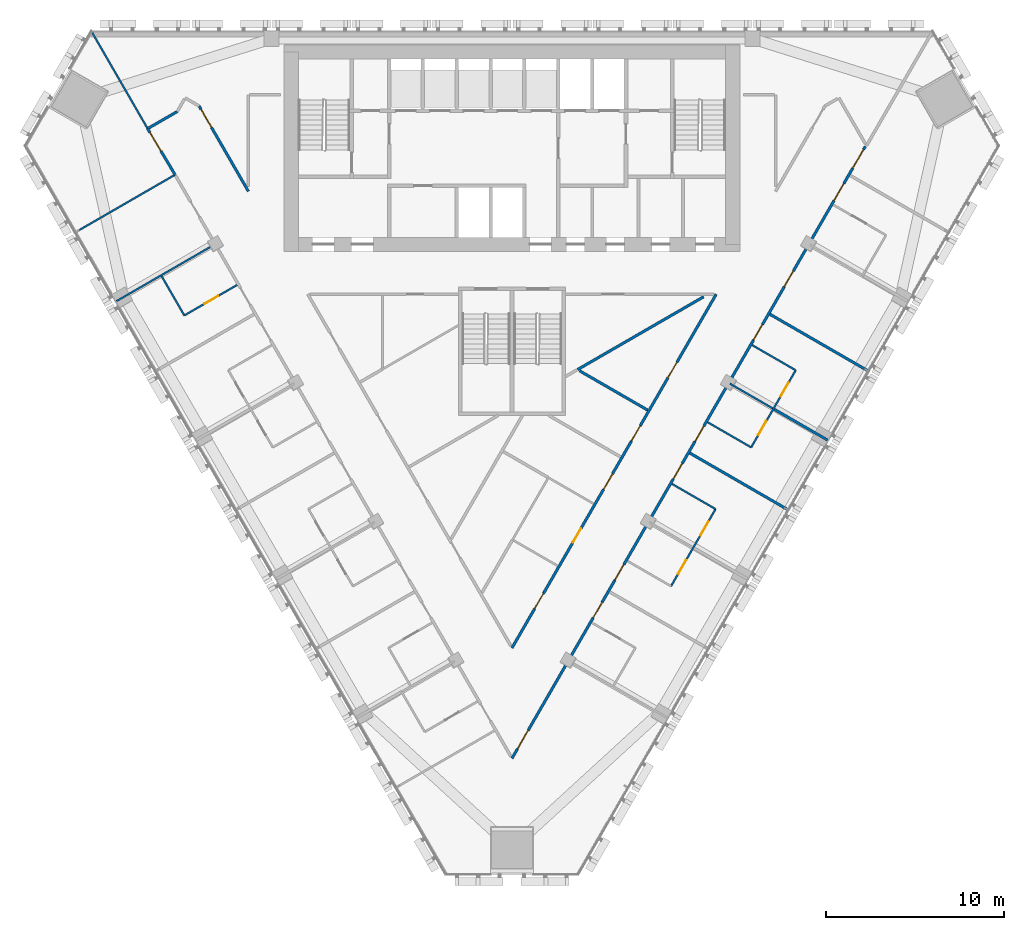
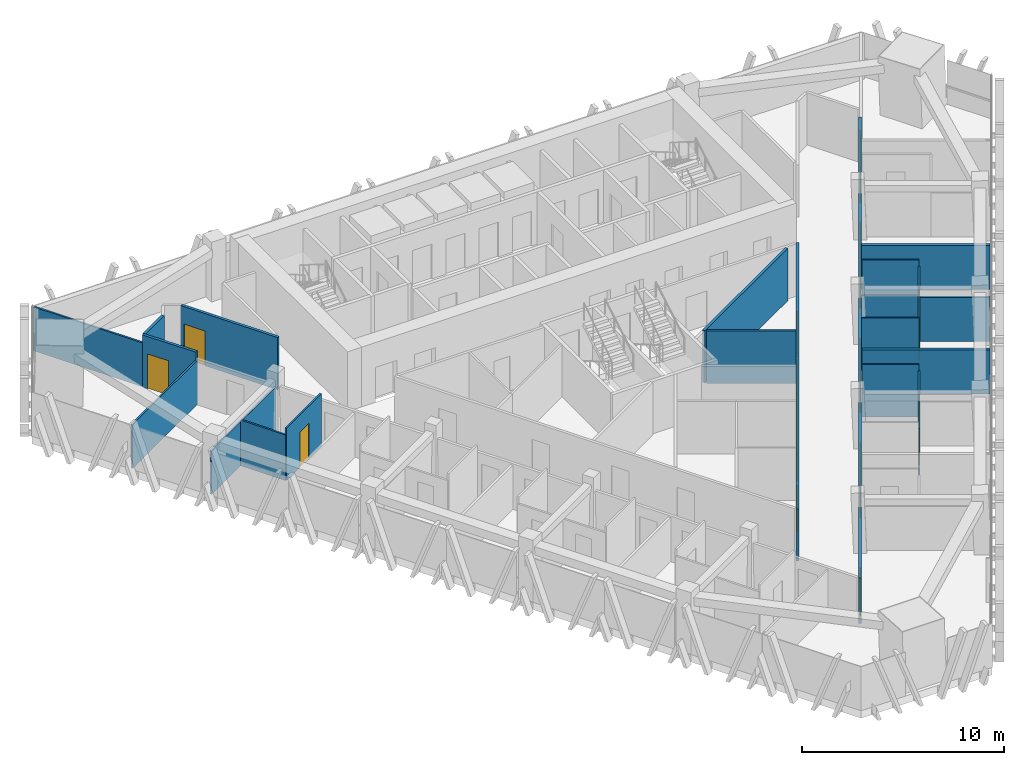
# One storey, part 10 of 16: 21 doors, 21 walls, 21 openings.
"""IFC4 building model written with IfcOpenShell, lengths in metres."""

from ifc_helpers import new_model, si_unit, direction, frame, frame_2d, origin, place, context, subcontext, project, spatial, rectangle, extrude, material, layer, layer_set, type_object, element, fill, save


model = new_model("IFC4")

# Units and contexts
model_context = context("Model", 3, precision=1e-05, world=origin(), true_north=direction((0.0, 1.0)))
body_context = subcontext(model_context, "Body", "Model", "MODEL_VIEW")
ifc_project = project(units=[si_unit("LENGTHUNIT", "METRE"), si_unit("AREAUNIT", "SQUARE_METRE"), si_unit("VOLUMEUNIT", "CUBIC_METRE"), si_unit("PLANEANGLEUNIT", "RADIAN"), si_unit("MASSUNIT", "GRAM", prefix="KILO")], contexts=[model_context])

# Site, building, storey
site_placement = place(None, origin())
site = spatial("IfcSite", under=ifc_project, at=site_placement, CompositionType="ELEMENT")
building_placement = place(site_placement, origin())
building = spatial("IfcBuilding", under=site, at=building_placement, Name="Altiplano Prism Tower", CompositionType="ELEMENT")
storey_placement = place(building_placement, frame((0.0, 0.0, 145.800048828125)))
storey = spatial("IfcBuildingStorey", under=building, at=storey_placement, Name="L37", CompositionType="ELEMENT", Elevation=145.800048828125)

# Wall, opening, door
ifc_material_1 = material(Name="Plasterboard on steel stud", Category="steel")
ifc_layer_1 = layer(ifc_material_1, 0.10009765625)
ifc_layer_set_1 = layer_set([ifc_layer_1], Name="Plasterboard on steel stud")
wall_type_1 = type_object("IfcWallType", Name="Partition 100 unit", PredefinedType="PARTITIONING", material=ifc_layer_set_1)
wall_1_placement = place(storey_placement, frame((69.5673828125, 90.72412109375, 0.0), z_axis=(0.0, 0.0, 1.0), x_axis=(-0.866032454348, -0.499987787867, 0.0)))
wall_1 = element("IfcWall", 1, at=wall_1_placement, inside=storey, type_object=wall_type_1, Name="Partition P02 L37 033", PredefinedType="PARTITIONING", context=body_context, shape_type="SweptSolid", body=[
    extrude(rectangle(XDim=3.4248046875, YDim=0.10009765625, at=frame_2d((1.71240234375, 0.0))), origin(), (0.0, 0.0, 1.0), 3.14990234375),
])
opening_1_placement = place(wall_1_placement, frame((1.22509765625, 0.0, 0.0)))
opening_1 = element("IfcOpeningElement", 2, at=opening_1_placement, cuts=wall_1, Name="Opening D1339", PredefinedType="OPENING", context=body_context, shape_type="SweptSolid", body=[
    extrude(rectangle(XDim=0.89990234375, YDim=2.10009765625, at=frame_2d((0.449951171875, 1.050048828125))), frame((0.0, 0.060546875, 0.0), z_axis=(0.0, -1.0, 0.0), x_axis=(1.0, 0.0, 0.0)), (0.0, 0.0, 1.0), 0.12109375),
])
ifc_material_2 = material(Name="Timber", Category="wood")
door_type_1 = type_object("IfcDoorType", Name="Accessible ensuite door 900 x 2100", OperationType="NOTDEFINED", PredefinedType="NOTDEFINED", material=ifc_material_2)
door_1_placement = place(opening_1_placement, origin())
door_1 = element("IfcDoor", 3, at=door_1_placement, inside=storey, type_object=door_type_1, Name="Door D1339", OperationType="SINGLE_SWING_LEFT", OverallHeight=2.10009765625, OverallWidth=0.89990234375, PredefinedType="NOTDEFINED", context=body_context, shape_type="SweptSolid", body=[
    extrude(rectangle(XDim=0.89990234375, YDim=2.10009765625, at=frame_2d((0.449951171875, 1.050048828125))), frame((0.0, 0.02490234375, 0.0), z_axis=(0.0, -1.0, 0.0), x_axis=(1.0, 0.0, 0.0)), (0.0, 0.0, 1.0), 0.050048828125),
])
fill(opening_1, door_1)

# Walls
wall_2_placement = place(storey_placement, frame((66.601318359375, 89.01171875, 0.0), z_axis=(0.0, 0.0, 1.0), x_axis=(-0.500062241894, 0.865989465428, 0.0)))
element("IfcWall", 4, at=wall_2_placement, inside=storey, type_object=wall_type_1, Name="Partition P02 L37 034", PredefinedType="PARTITIONING", context=body_context, shape_type="SweptSolid", body=[
    extrude(rectangle(XDim=2.550048828125, YDim=0.10009765625, at=frame_2d((1.27490234375, 0.0))), origin(), (0.0, 0.0, 1.0), 2.75),
])
wall_3_placement = place(storey_placement, frame((93.982666015625, 79.552490234375, 0.0), z_axis=(0.0, 0.0, 1.0), x_axis=(0.866011447264, -0.500024172624, 0.0)))
element("IfcWall", 5, at=wall_3_placement, inside=storey, type_object=wall_type_1, Name="Partition P02 L37 062", PredefinedType="PARTITIONING", context=body_context, shape_type="SweptSolid", body=[
    extrude(rectangle(XDim=2.824951171875, YDim=0.10009765625, at=frame_2d((1.41259765625, 0.0))), origin(), (0.0, 0.0, 1.0), 3.14990234375),
])

# Wall, openings, doors
wall_4_placement = place(storey_placement, frame((96.42919921875, 78.139892578125, 0.0), z_axis=(0.0, 0.0, 1.0), x_axis=(-0.500004234368, -0.866022959057, 0.0)))
wall_4 = element("IfcWall", 6, at=wall_4_placement, inside=storey, type_object=wall_type_1, Name="Partition P02 L37 063", PredefinedType="PARTITIONING", context=body_context, shape_type="SweptSolid", body=[
    extrude(rectangle(XDim=5.0, YDim=0.10009765625, at=frame_2d((2.5, 0.0))), origin(), (0.0, 0.0, 1.0), 2.75),
])
opening_2_placement = place(wall_4_placement, frame((3.300048828125, 0.0, 0.0)))
opening_2 = element("IfcOpeningElement", 7, at=opening_2_placement, cuts=wall_4, Name="Opening D1356", PredefinedType="OPENING", context=body_context, shape_type="SweptSolid", body=[
    extrude(rectangle(XDim=0.89990234375, YDim=2.10009765625, at=frame_2d((0.449951171875, 1.050048828125))), frame((0.0, 0.060546875, 0.0), z_axis=(0.0, -1.0, 0.0), x_axis=(1.0, 0.0, 0.0)), (0.0, 0.0, 1.0), 0.12109375),
])
opening_3_placement = place(wall_4_placement, frame((0.800048828125, 0.0, 0.0)))
opening_3 = element("IfcOpeningElement", 8, at=opening_3_placement, cuts=wall_4, Name="Opening D1358", PredefinedType="OPENING", context=body_context, shape_type="SweptSolid", body=[
    extrude(rectangle(XDim=0.89990234375, YDim=2.10009765625, at=frame_2d((0.449951171875, 1.050048828125))), frame((0.0, 0.060546875, 0.0), z_axis=(0.0, -1.0, 0.0), x_axis=(1.0, 0.0, 0.0)), (0.0, 0.0, 1.0), 0.12109375),
])
door_type_2 = type_object("IfcDoorType", Name="Ensuite door 900 x 2100", OperationType="NOTDEFINED", PredefinedType="NOTDEFINED", material=ifc_material_2)
door_2_placement = place(opening_2_placement, origin())
door_2 = element("IfcDoor", 9, at=door_2_placement, inside=storey, type_object=door_type_2, Name="Door D1356", OperationType="SINGLE_SWING_LEFT", OverallHeight=2.10009765625, OverallWidth=0.89990234375, PredefinedType="NOTDEFINED", context=body_context, shape_type="SweptSolid", body=[
    extrude(rectangle(XDim=0.89990234375, YDim=2.10009765625, at=frame_2d((0.449951171875, 1.050048828125))), frame((0.0, 0.02490234375, 0.0), z_axis=(0.0, -1.0, 0.0), x_axis=(1.0, 0.0, 0.0)), (0.0, 0.0, 1.0), 0.050048828125),
])
fill(opening_2, door_2)
door_3_placement = place(opening_3_placement, origin())
door_3 = element("IfcDoor", 10, at=door_3_placement, inside=storey, type_object=door_type_2, Name="Door D1358", OperationType="SINGLE_SWING_LEFT", OverallHeight=2.10009765625, OverallWidth=0.89990234375, PredefinedType="NOTDEFINED", context=body_context, shape_type="SweptSolid", body=[
    extrude(rectangle(XDim=0.89990234375, YDim=2.10009765625, at=frame_2d((0.449951171875, 1.050048828125))), frame((0.0, 0.02490234375, 0.0), z_axis=(0.0, -1.0, 0.0), x_axis=(1.0, 0.0, 0.0)), (0.0, 0.0, 1.0), 0.050048828125),
])
fill(opening_3, door_3)

# Walls
for number, where, z_axis, x_axis, name in (
    (11, (98.42919921875, 81.60400390625, 0.0), (0.0, 0.0, 1.0), (-0.866011447264, 0.500024172624, 0.0), "Partition P02 L37 065"),
    (12, (98.482666015625, 87.3466796875, 0.0), (0.0, 0.0, 1.0), (0.866011447264, -0.500024172624, 0.0), "Partition P02 L37 068"),
):
    element("IfcWall", number, at=place(storey_placement, frame(where, z_axis=z_axis, x_axis=x_axis)), inside=storey, type_object=wall_type_1, Name=name, PredefinedType="PARTITIONING", context=body_context, shape_type="SweptSolid", body=[
        extrude(rectangle(XDim=2.824951171875, YDim=0.10009765625, at=frame_2d((1.41259765625, 0.0))), origin(), (0.0, 0.0, 1.0), 3.14990234375),
    ])

# Wall, openings, doors
wall_5_placement = place(storey_placement, frame((100.92919921875, 85.93408203125, 0.0), z_axis=(0.0, 0.0, 1.0), x_axis=(-0.500004234368, -0.866022959057, 0.0)))
wall_5 = element("IfcWall", 13, at=wall_5_placement, inside=storey, type_object=wall_type_1, Name="Partition P02 L37 069", PredefinedType="PARTITIONING", context=body_context, shape_type="SweptSolid", body=[
    extrude(rectangle(XDim=5.0, YDim=0.10009765625, at=frame_2d((2.5, 0.0))), origin(), (0.0, 0.0, 1.0), 2.75),
])
opening_4_placement = place(wall_5_placement, frame((3.300048828125, 0.0, 0.0)))
opening_4 = element("IfcOpeningElement", 14, at=opening_4_placement, cuts=wall_5, Name="Opening D1360", PredefinedType="OPENING", context=body_context, shape_type="SweptSolid", body=[
    extrude(rectangle(XDim=0.89990234375, YDim=2.10009765625, at=frame_2d((0.449951171875, 1.050048828125))), frame((0.0, 0.060546875, 0.0), z_axis=(0.0, -1.0, 0.0), x_axis=(1.0, 0.0, 0.0)), (0.0, 0.0, 1.0), 0.12109375),
])
opening_5_placement = place(wall_5_placement, frame((0.800048828125, 0.0, 0.0)))
opening_5 = element("IfcOpeningElement", 15, at=opening_5_placement, cuts=wall_5, Name="Opening D1362", PredefinedType="OPENING", context=body_context, shape_type="SweptSolid", body=[
    extrude(rectangle(XDim=0.89990234375, YDim=2.10009765625, at=frame_2d((0.449951171875, 1.050048828125))), frame((0.0, 0.060546875, 0.0), z_axis=(0.0, -1.0, 0.0), x_axis=(1.0, 0.0, 0.0)), (0.0, 0.0, 1.0), 0.12109375),
])
door_4_placement = place(opening_4_placement, origin())
door_4 = element("IfcDoor", 16, at=door_4_placement, inside=storey, type_object=door_type_2, Name="Door D1360", OperationType="SINGLE_SWING_RIGHT", OverallHeight=2.10009765625, OverallWidth=0.89990234375, PredefinedType="NOTDEFINED", context=body_context, shape_type="SweptSolid", body=[
    extrude(rectangle(XDim=0.89990234375, YDim=2.10009765625, at=frame_2d((0.449951171875, 1.050048828125))), frame((0.0, 0.02490234375, 0.0), z_axis=(0.0, -1.0, 0.0), x_axis=(1.0, 0.0, 0.0)), (0.0, 0.0, 1.0), 0.050048828125),
])
fill(opening_4, door_4)
door_5_placement = place(opening_5_placement, origin())
door_5 = element("IfcDoor", 17, at=door_5_placement, inside=storey, type_object=door_type_2, Name="Door D1362", OperationType="SINGLE_SWING_LEFT", OverallHeight=2.10009765625, OverallWidth=0.89990234375, PredefinedType="NOTDEFINED", context=body_context, shape_type="SweptSolid", body=[
    extrude(rectangle(XDim=0.89990234375, YDim=2.10009765625, at=frame_2d((0.449951171875, 1.050048828125))), frame((0.0, 0.02490234375, 0.0), z_axis=(0.0, -1.0, 0.0), x_axis=(1.0, 0.0, 0.0)), (0.0, 0.0, 1.0), 0.050048828125),
])
fill(opening_5, door_5)

# Walls
ifc_layer_2 = layer(ifc_material_1, 0.10009765625)
ifc_layer_set_2 = layer_set([ifc_layer_2], Name="Plasterboard on steel stud")
wall_type_2 = type_object("IfcWallType", Name="Partition 100 wet", PredefinedType="PARTITIONING", material=ifc_layer_set_2)
wall_6_placement = place(storey_placement, frame((60.522216796875, 93.700439453125, 0.0), z_axis=(0.0, 0.0, 1.0), x_axis=(0.866034872269, 0.499983599745, 0.0)))
element("IfcWall", 18, at=wall_6_placement, inside=storey, type_object=wall_type_2, Name="Partition P03 L37 030", PredefinedType="PARTITIONING", context=body_context, shape_type="SweptSolid", body=[
    extrude(rectangle(XDim=6.420166015625, YDim=0.10009765625, at=frame_2d((3.2099609375, 0.0))), origin(), (0.0, 0.0, 1.0), 2.64990234375),
])
wall_7_placement = place(storey_placement, frame((64.541748046875, 99.5, 0.0), z_axis=(0.0, 0.0, 1.0), x_axis=(-0.500004896655, 0.866022576681, 0.0)))
element("IfcWall", 19, at=wall_7_placement, inside=storey, type_object=wall_type_2, Name="Partition P03 L37 031", PredefinedType="PARTITIONING", context=body_context, shape_type="SweptSolid", body=[
    extrude(rectangle(XDim=6.2353515625, YDim=0.10009765625, at=frame_2d((3.11767578125, 0.0))), origin(), (0.0, 0.0, 1.0), 2.64990234375),
])
wall_8_placement = place(storey_placement, frame((62.789794921875, 89.8134765625, 0.0), z_axis=(0.0, 0.0, 1.0), x_axis=(0.866032601554, 0.49998753289, 0.0)))
element("IfcWall", 20, at=wall_8_placement, inside=storey, type_object=wall_type_2, Name="Partition P03 L37 032", PredefinedType="PARTITIONING", context=body_context, shape_type="SweptSolid", body=[
    extrude(rectangle(XDim=6.324951171875, YDim=0.10009765625, at=frame_2d((3.16259765625, 0.0))), origin(), (0.0, 0.0, 1.0), 2.64990234375),
])
wall_9_placement = place(storey_placement, frame((99.635986328125, 83.794189453125, 0.0), z_axis=(0.0, 0.0, 1.0), x_axis=(-0.866042014628, 0.499971228071, 0.0)))
element("IfcWall", 21, at=wall_9_placement, inside=storey, type_object=wall_type_2, Name="Partition P03 L37 067", PredefinedType="PARTITIONING", context=body_context, shape_type="SweptSolid", body=[
    extrude(rectangle(XDim=2.775146484375, YDim=0.10009765625, at=frame_2d((1.3876953125, 0.0))), origin(), (0.0, 0.0, 1.0), 2.75),
])

# Wall, openings, doors
ifc_layer_3 = layer(ifc_material_1, 0.14990234375)
ifc_layer_set_3 = layer_set([ifc_layer_3], Name="Plasterboard on steel stud")
wall_type_3 = type_object("IfcWallType", Name="Partition 150 corridor", PredefinedType="PARTITIONING", material=ifc_layer_set_3)
wall_10_placement = place(storey_placement, frame((96.4638671875, 90.199951171875, 0.0), z_axis=(0.0, 0.0, 1.0), x_axis=(-0.50000081944, -0.86602493068, 0.0)))
wall_10 = element("IfcWall", 22, at=wall_10_placement, inside=storey, type_object=wall_type_3, Name="Partition P06 L37 002", PredefinedType="PARTITIONING", context=body_context, shape_type="SweptSolid", body=[
    extrude(rectangle(XDim=22.927734375, YDim=0.14990234375, at=frame_2d((11.4638671875, 0.0))), origin(), (0.0, 0.0, 1.0), 3.14990234375),
])
opening_6_placement = place(wall_10_placement, frame((15.19091796875, 0.0, 0.0)))
opening_6 = element("IfcOpeningElement", 23, at=opening_6_placement, cuts=wall_10, Name="Opening D1330", PredefinedType="OPENING", context=body_context, shape_type="SweptSolid", body=[
    extrude(rectangle(XDim=0.89990234375, YDim=2.10009765625, at=frame_2d((0.449951171875, 1.050048828125))), frame((0.0, 0.08544921875, 0.0), z_axis=(0.0, -1.0, 0.0), x_axis=(1.0, 0.0, 0.0)), (0.0, 0.0, 1.0), 0.1708984375),
])
opening_7_placement = place(wall_10_placement, frame((19.385986328125, 0.0, 0.0)))
opening_7 = element("IfcOpeningElement", 24, at=opening_7_placement, cuts=wall_10, Name="Opening D1333", PredefinedType="OPENING", context=body_context, shape_type="SweptSolid", body=[
    extrude(rectangle(XDim=1.0, YDim=2.10009765625, at=frame_2d((0.5, 1.050048828125))), frame((0.0, 0.08544921875, 0.0), z_axis=(0.0, -1.0, 0.0), x_axis=(1.0, 0.0, 0.0)), (0.0, 0.0, 1.0), 0.1708984375),
])
opening_8_placement = place(wall_10_placement, frame((8.52587890625, 0.0, 0.0)))
opening_8 = element("IfcOpeningElement", 25, at=opening_8_placement, cuts=wall_10, Name="Opening D1334", PredefinedType="OPENING", context=body_context, shape_type="SweptSolid", body=[
    extrude(rectangle(XDim=1.0, YDim=2.10009765625, at=frame_2d((0.5, 1.050048828125))), frame((0.0, 0.08544921875, 0.0), z_axis=(0.0, -1.0, 0.0), x_axis=(1.0, 0.0, 0.0)), (0.0, 0.0, 1.0), 0.1708984375),
])
opening_9_placement = place(wall_10_placement, frame((11.64208984375, 0.0, 0.0)))
opening_9 = element("IfcOpeningElement", 26, at=opening_9_placement, cuts=wall_10, Name="Opening D1335", PredefinedType="OPENING", context=body_context, shape_type="SweptSolid", body=[
    extrude(rectangle(XDim=1.0, YDim=2.10009765625, at=frame_2d((0.5, 1.050048828125))), frame((0.0, 0.08544921875, 0.0), z_axis=(0.0, -1.0, 0.0), x_axis=(1.0, 0.0, 0.0)), (0.0, 0.0, 1.0), 0.1708984375),
])
opening_10_placement = place(wall_10_placement, frame((4.408935546875, 0.0, 0.0)))
opening_10 = element("IfcOpeningElement", 27, at=opening_10_placement, cuts=wall_10, Name="Opening D1373", PredefinedType="OPENING", context=body_context, shape_type="SweptSolid", body=[
    extrude(rectangle(XDim=1.0, YDim=2.10009765625, at=frame_2d((0.5, 1.050048828125))), frame((0.0, 0.08544921875, 0.0), z_axis=(0.0, -1.0, 0.0), x_axis=(1.0, 0.0, 0.0)), (0.0, 0.0, 1.0), 0.1708984375),
])
door_type_3 = type_object("IfcDoorType", Name="Room door 1000 x 2100", OperationType="NOTDEFINED", PredefinedType="NOTDEFINED", material=ifc_material_2)
door_6_placement = place(opening_10_placement, origin())
door_6 = element("IfcDoor", 28, at=door_6_placement, inside=storey, type_object=door_type_3, Name="Door D1373", OperationType="SINGLE_SWING_LEFT", OverallHeight=2.10009765625, OverallWidth=1.0, PredefinedType="NOTDEFINED", context=body_context, shape_type="SweptSolid", body=[
    extrude(rectangle(XDim=1.0, YDim=2.10009765625, at=frame_2d((0.5, 1.050048828125))), frame((0.0, 0.02490234375, 0.0), z_axis=(0.0, -1.0, 0.0), x_axis=(1.0, 0.0, 0.0)), (0.0, 0.0, 1.0), 0.050048828125),
])
fill(opening_10, door_6)
door_type_4 = type_object("IfcDoorType", Name="Store door 1000 x 2100", OperationType="NOTDEFINED", PredefinedType="NOTDEFINED", material=ifc_material_2)
door_7_placement = place(opening_7_placement, origin())
door_7 = element("IfcDoor", 29, at=door_7_placement, inside=storey, type_object=door_type_4, Name="Door D1333", OperationType="SINGLE_SWING_LEFT", OverallHeight=2.10009765625, OverallWidth=1.0, PredefinedType="NOTDEFINED", context=body_context, shape_type="SweptSolid", body=[
    extrude(rectangle(XDim=1.0, YDim=2.10009765625, at=frame_2d((0.5, 1.050048828125))), frame((0.0, 0.02490234375, 0.0), z_axis=(0.0, -1.0, 0.0), x_axis=(1.0, 0.0, 0.0)), (0.0, 0.0, 1.0), 0.050048828125),
])
fill(opening_7, door_7)
door_8_placement = place(opening_8_placement, origin())
door_8 = element("IfcDoor", 30, at=door_8_placement, inside=storey, type_object=door_type_4, Name="Door D1334", OperationType="SINGLE_SWING_RIGHT", OverallHeight=2.10009765625, OverallWidth=1.0, PredefinedType="NOTDEFINED", context=body_context, shape_type="SweptSolid", body=[
    extrude(rectangle(XDim=1.0, YDim=2.10009765625, at=frame_2d((0.5, 1.050048828125))), frame((0.0, 0.02490234375, 0.0), z_axis=(0.0, -1.0, 0.0), x_axis=(1.0, 0.0, 0.0)), (0.0, 0.0, 1.0), 0.050048828125),
])
fill(opening_8, door_8)
door_9_placement = place(opening_9_placement, origin())
door_9 = element("IfcDoor", 31, at=door_9_placement, inside=storey, type_object=door_type_4, Name="Door D1335", OperationType="SINGLE_SWING_LEFT", OverallHeight=2.10009765625, OverallWidth=1.0, PredefinedType="NOTDEFINED", context=body_context, shape_type="SweptSolid", body=[
    extrude(rectangle(XDim=1.0, YDim=2.10009765625, at=frame_2d((0.5, 1.050048828125))), frame((0.0, 0.02490234375, 0.0), z_axis=(0.0, -1.0, 0.0), x_axis=(1.0, 0.0, 0.0)), (0.0, 0.0, 1.0), 0.050048828125),
])
fill(opening_9, door_9)
door_type_5 = type_object("IfcDoorType", Name="Toilet door 900 x 2100", OperationType="NOTDEFINED", PredefinedType="NOTDEFINED", material=ifc_material_2)
door_10_placement = place(opening_6_placement, origin())
door_10 = element("IfcDoor", 32, at=door_10_placement, inside=storey, type_object=door_type_5, Name="Door D1330", OperationType="SINGLE_SWING_RIGHT", OverallHeight=2.10009765625, OverallWidth=0.89990234375, PredefinedType="NOTDEFINED", context=body_context, shape_type="SweptSolid", body=[
    extrude(rectangle(XDim=0.89990234375, YDim=2.10009765625, at=frame_2d((0.449951171875, 1.050048828125))), frame((0.0, 0.02490234375, 0.0), z_axis=(0.0, -1.0, 0.0), x_axis=(1.0, 0.0, 0.0)), (0.0, 0.0, 1.0), 0.050048828125),
])
fill(opening_6, door_10)

# Wall, opening, door
wall_11_placement = place(storey_placement, frame((64.53173828125, 99.517333984375, 0.0), z_axis=(0.0, 0.0, 1.0), x_axis=(0.511189498573, -0.859468031138, 0.0)))
wall_11 = element("IfcWall", 33, at=wall_11_placement, inside=storey, type_object=wall_type_3, Name="Partition P06 L37 004", PredefinedType="PARTITIONING", context=body_context, shape_type="SweptSolid", body=[
    extrude(rectangle(XDim=3.033203125, YDim=0.14990234375, at=frame_2d((1.5166015625, 0.0))), origin(), (0.0, 0.0, 1.0), 3.14990234375),
])
opening_11_placement = place(wall_11_placement, frame((0.27294921875, 0.0, 0.0)))
opening_11 = element("IfcOpeningElement", 34, at=opening_11_placement, cuts=wall_11, Name="Opening D1336", PredefinedType="OPENING", context=body_context, shape_type="SweptSolid", body=[
    extrude(rectangle(XDim=1.199951171875, YDim=2.10009765625, at=frame_2d((0.60009765625, 1.050048828125))), frame((0.0, 0.08544921875, 0.0), z_axis=(0.0, -1.0, 0.0), x_axis=(1.0, 0.0, 0.0)), (0.0, 0.0, 1.0), 0.1708984375),
])
door_type_6 = type_object("IfcDoorType", Name="Shared room door 1200 x 2100", OperationType="NOTDEFINED", PredefinedType="NOTDEFINED", material=ifc_material_2)
door_11_placement = place(opening_11_placement, origin())
door_11 = element("IfcDoor", 35, at=door_11_placement, inside=storey, type_object=door_type_6, Name="Door D1336", OperationType="SINGLE_SWING_RIGHT", OverallHeight=2.10009765625, OverallWidth=1.199951171875, PredefinedType="NOTDEFINED", context=body_context, shape_type="SweptSolid", body=[
    extrude(rectangle(XDim=1.199951171875, YDim=2.10009765625, at=frame_2d((0.60009765625, 1.050048828125))), frame((0.0, 0.02490234375, 0.0), z_axis=(0.0, -1.0, 0.0), x_axis=(1.0, 0.0, 0.0)), (0.0, 0.0, 1.0), 0.050048828125),
])
fill(opening_11, door_11)

# Wall, openings, doors
wall_12_placement = place(storey_placement, frame((85.0, 64.14404296875, 0.0), z_axis=(0.0, 0.0, 1.0), x_axis=(0.50000053273, 0.866025096212, 0.0)))
wall_12 = element("IfcWall", 36, at=wall_12_placement, inside=storey, type_object=wall_type_3, Name="Partition P06 L37 006", PredefinedType="PARTITIONING", context=body_context, shape_type="SweptSolid", body=[
    extrude(rectangle(XDim=39.6708984375, YDim=0.14990234375, at=frame_2d((19.83544921875, 0.0))), origin(), (0.0, 0.0, 1.0), 2.75),
])
opening_12_placement = place(wall_12_placement, frame((0.617919921875, 0.0, 0.0)))
opening_12 = element("IfcOpeningElement", 37, at=opening_12_placement, cuts=wall_12, Name="Opening D1352", PredefinedType="OPENING", context=body_context, shape_type="SweptSolid", body=[
    extrude(rectangle(XDim=1.199951171875, YDim=2.10009765625, at=frame_2d((0.60009765625, 1.050048828125))), frame((0.0, 0.08544921875, 0.0), z_axis=(0.0, -1.0, 0.0), x_axis=(1.0, 0.0, 0.0)), (0.0, 0.0, 1.0), 0.1708984375),
])
opening_13_placement = place(wall_12_placement, frame((9.114990234375, 0.0, 0.0)))
opening_13 = element("IfcOpeningElement", 38, at=opening_13_placement, cuts=wall_12, Name="Opening D1353", PredefinedType="OPENING", context=body_context, shape_type="SweptSolid", body=[
    extrude(rectangle(XDim=1.0, YDim=2.10009765625, at=frame_2d((0.5, 1.050048828125))), frame((0.0, 0.08544921875, 0.0), z_axis=(0.0, -1.0, 0.0), x_axis=(1.0, 0.0, 0.0)), (0.0, 0.0, 1.0), 0.1708984375),
])
opening_14_placement = place(wall_12_placement, frame((11.555908203125, 0.0, 0.0)))
opening_14 = element("IfcOpeningElement", 39, at=opening_14_placement, cuts=wall_12, Name="Opening D1355", PredefinedType="OPENING", context=body_context, shape_type="SweptSolid", body=[
    extrude(rectangle(XDim=1.0, YDim=2.10009765625, at=frame_2d((0.5, 1.050048828125))), frame((0.0, 0.08544921875, 0.0), z_axis=(0.0, -1.0, 0.0), x_axis=(1.0, 0.0, 0.0)), (0.0, 0.0, 1.0), 0.1708984375),
])
opening_15_placement = place(wall_12_placement, frame((18.114990234375, 0.0, 0.0)))
opening_15 = element("IfcOpeningElement", 40, at=opening_15_placement, cuts=wall_12, Name="Opening D1357", PredefinedType="OPENING", context=body_context, shape_type="SweptSolid", body=[
    extrude(rectangle(XDim=1.0, YDim=2.10009765625, at=frame_2d((0.5, 1.050048828125))), frame((0.0, 0.08544921875, 0.0), z_axis=(0.0, -1.0, 0.0), x_axis=(1.0, 0.0, 0.0)), (0.0, 0.0, 1.0), 0.1708984375),
])
opening_16_placement = place(wall_12_placement, frame((20.555908203125, 0.0, 0.0)))
opening_16 = element("IfcOpeningElement", 41, at=opening_16_placement, cuts=wall_12, Name="Opening D1359", PredefinedType="OPENING", context=body_context, shape_type="SweptSolid", body=[
    extrude(rectangle(XDim=1.0, YDim=2.10009765625, at=frame_2d((0.5, 1.050048828125))), frame((0.0, 0.08544921875, 0.0), z_axis=(0.0, -1.0, 0.0), x_axis=(1.0, 0.0, 0.0)), (0.0, 0.0, 1.0), 0.1708984375),
])
opening_17_placement = place(wall_12_placement, frame((27.114990234375, 0.0, 0.0)))
opening_17 = element("IfcOpeningElement", 42, at=opening_17_placement, cuts=wall_12, Name="Opening D1361", PredefinedType="OPENING", context=body_context, shape_type="SweptSolid", body=[
    extrude(rectangle(XDim=1.0, YDim=2.10009765625, at=frame_2d((0.5, 1.050048828125))), frame((0.0, 0.08544921875, 0.0), z_axis=(0.0, -1.0, 0.0), x_axis=(1.0, 0.0, 0.0)), (0.0, 0.0, 1.0), 0.1708984375),
])
opening_18_placement = place(wall_12_placement, frame((30.5849609375, 0.0, 0.0)))
opening_18 = element("IfcOpeningElement", 43, at=opening_18_placement, cuts=wall_12, Name="Opening D1363", PredefinedType="OPENING", context=body_context, shape_type="SweptSolid", body=[
    extrude(rectangle(XDim=1.0, YDim=2.10009765625, at=frame_2d((0.5, 1.050048828125))), frame((0.0, 0.08544921875, 0.0), z_axis=(0.0, -1.0, 0.0), x_axis=(1.0, 0.0, 0.0)), (0.0, 0.0, 1.0), 0.1708984375),
])
opening_19_placement = place(wall_12_placement, frame((36.1640625, 0.0, 0.0)))
opening_19 = element("IfcOpeningElement", 44, at=opening_19_placement, cuts=wall_12, Name="Opening D1364", PredefinedType="OPENING", context=body_context, shape_type="SweptSolid", body=[
    extrude(rectangle(XDim=1.10009765625, YDim=2.10009765625, at=frame_2d((0.550048828125, 1.050048828125))), frame((0.0, 0.08544921875, 0.0), z_axis=(0.0, -1.0, 0.0), x_axis=(1.0, 0.0, 0.0)), (0.0, 0.0, 1.0), 0.1708984375),
])
opening_20_placement = place(wall_12_placement, frame((38.27099609375, 0.0, 0.0)))
opening_20 = element("IfcOpeningElement", 45, at=opening_20_placement, cuts=wall_12, Name="Opening D1366", PredefinedType="OPENING", context=body_context, shape_type="SweptSolid", body=[
    extrude(rectangle(XDim=1.199951171875, YDim=2.10009765625, at=frame_2d((0.60009765625, 1.050048828125))), frame((0.0, 0.08544921875, 0.0), z_axis=(0.0, -1.0, 0.0), x_axis=(1.0, 0.0, 0.0)), (0.0, 0.0, 1.0), 0.1708984375),
])
door_type_7 = type_object("IfcDoorType", Name="Accessible bedroom door 1100 x 2100", OperationType="NOTDEFINED", PredefinedType="NOTDEFINED", material=ifc_material_2)
door_12_placement = place(opening_19_placement, origin())
door_12 = element("IfcDoor", 46, at=door_12_placement, inside=storey, type_object=door_type_7, Name="Door D1364", OperationType="SINGLE_SWING_LEFT", OverallHeight=2.10009765625, OverallWidth=1.10009765625, PredefinedType="NOTDEFINED", context=body_context, shape_type="SweptSolid", body=[
    extrude(rectangle(XDim=1.10009765625, YDim=2.10009765625, at=frame_2d((0.550048828125, 1.050048828125))), frame((0.0, 0.02490234375, 0.0), z_axis=(0.0, -1.0, 0.0), x_axis=(1.0, 0.0, 0.0)), (0.0, 0.0, 1.0), 0.050048828125),
])
fill(opening_19, door_12)
door_type_8 = type_object("IfcDoorType", Name="Bedroom entrance door 1000 x 2100", OperationType="NOTDEFINED", PredefinedType="NOTDEFINED", material=ifc_material_2)
door_13_placement = place(opening_13_placement, origin())
door_13 = element("IfcDoor", 47, at=door_13_placement, inside=storey, type_object=door_type_8, Name="Door D1353", OperationType="SINGLE_SWING_RIGHT", OverallHeight=2.10009765625, OverallWidth=1.0, PredefinedType="NOTDEFINED", context=body_context, shape_type="SweptSolid", body=[
    extrude(rectangle(XDim=1.0, YDim=2.10009765625, at=frame_2d((0.5, 1.050048828125))), frame((0.0, 0.02490234375, 0.0), z_axis=(0.0, -1.0, 0.0), x_axis=(1.0, 0.0, 0.0)), (0.0, 0.0, 1.0), 0.050048828125),
])
fill(opening_13, door_13)
door_14_placement = place(opening_14_placement, origin())
door_14 = element("IfcDoor", 48, at=door_14_placement, inside=storey, type_object=door_type_8, Name="Door D1355", OperationType="SINGLE_SWING_LEFT", OverallHeight=2.10009765625, OverallWidth=1.0, PredefinedType="NOTDEFINED", context=body_context, shape_type="SweptSolid", body=[
    extrude(rectangle(XDim=1.0, YDim=2.10009765625, at=frame_2d((0.5, 1.050048828125))), frame((0.0, 0.02490234375, 0.0), z_axis=(0.0, -1.0, 0.0), x_axis=(1.0, 0.0, 0.0)), (0.0, 0.0, 1.0), 0.050048828125),
])
fill(opening_14, door_14)
door_15_placement = place(opening_15_placement, origin())
door_15 = element("IfcDoor", 49, at=door_15_placement, inside=storey, type_object=door_type_8, Name="Door D1357", OperationType="SINGLE_SWING_RIGHT", OverallHeight=2.10009765625, OverallWidth=1.0, PredefinedType="NOTDEFINED", context=body_context, shape_type="SweptSolid", body=[
    extrude(rectangle(XDim=1.0, YDim=2.10009765625, at=frame_2d((0.5, 1.050048828125))), frame((0.0, 0.02490234375, 0.0), z_axis=(0.0, -1.0, 0.0), x_axis=(1.0, 0.0, 0.0)), (0.0, 0.0, 1.0), 0.050048828125),
])
fill(opening_15, door_15)
door_16_placement = place(opening_16_placement, origin())
door_16 = element("IfcDoor", 50, at=door_16_placement, inside=storey, type_object=door_type_8, Name="Door D1359", OperationType="SINGLE_SWING_LEFT", OverallHeight=2.10009765625, OverallWidth=1.0, PredefinedType="NOTDEFINED", context=body_context, shape_type="SweptSolid", body=[
    extrude(rectangle(XDim=1.0, YDim=2.10009765625, at=frame_2d((0.5, 1.050048828125))), frame((0.0, 0.02490234375, 0.0), z_axis=(0.0, -1.0, 0.0), x_axis=(1.0, 0.0, 0.0)), (0.0, 0.0, 1.0), 0.050048828125),
])
fill(opening_16, door_16)
door_17_placement = place(opening_17_placement, origin())
door_17 = element("IfcDoor", 51, at=door_17_placement, inside=storey, type_object=door_type_8, Name="Door D1361", OperationType="SINGLE_SWING_LEFT", OverallHeight=2.10009765625, OverallWidth=1.0, PredefinedType="NOTDEFINED", context=body_context, shape_type="SweptSolid", body=[
    extrude(rectangle(XDim=1.0, YDim=2.10009765625, at=frame_2d((0.5, 1.050048828125))), frame((0.0, 0.02490234375, 0.0), z_axis=(0.0, -1.0, 0.0), x_axis=(1.0, 0.0, 0.0)), (0.0, 0.0, 1.0), 0.050048828125),
])
fill(opening_17, door_17)
door_18_placement = place(opening_18_placement, origin())
door_18 = element("IfcDoor", 52, at=door_18_placement, inside=storey, type_object=door_type_3, Name="Door D1363", OperationType="SINGLE_SWING_LEFT", OverallHeight=2.10009765625, OverallWidth=1.0, PredefinedType="NOTDEFINED", context=body_context, shape_type="SweptSolid", body=[
    extrude(rectangle(XDim=1.0, YDim=2.10009765625, at=frame_2d((0.5, 1.050048828125))), frame((0.0, 0.02490234375, 0.0), z_axis=(0.0, -1.0, 0.0), x_axis=(1.0, 0.0, 0.0)), (0.0, 0.0, 1.0), 0.050048828125),
])
fill(opening_18, door_18)
door_19_placement = place(opening_12_placement, origin())
door_19 = element("IfcDoor", 53, at=door_19_placement, inside=storey, type_object=door_type_6, Name="Door D1352", OperationType="SINGLE_SWING_LEFT", OverallHeight=2.10009765625, OverallWidth=1.199951171875, PredefinedType="NOTDEFINED", context=body_context, shape_type="SweptSolid", body=[
    extrude(rectangle(XDim=1.199951171875, YDim=2.10009765625, at=frame_2d((0.60009765625, 1.050048828125))), frame((0.0, 0.02490234375, 0.0), z_axis=(0.0, -1.0, 0.0), x_axis=(1.0, 0.0, 0.0)), (0.0, 0.0, 1.0), 0.050048828125),
])
fill(opening_12, door_19)
door_20_placement = place(opening_20_placement, origin())
door_20 = element("IfcDoor", 54, at=door_20_placement, inside=storey, type_object=door_type_6, Name="Door D1366", OperationType="SINGLE_SWING_RIGHT", OverallHeight=2.10009765625, OverallWidth=1.199951171875, PredefinedType="NOTDEFINED", context=body_context, shape_type="SweptSolid", body=[
    extrude(rectangle(XDim=1.199951171875, YDim=2.10009765625, at=frame_2d((0.60009765625, 1.050048828125))), frame((0.0, 0.02490234375, 0.0), z_axis=(0.0, -1.0, 0.0), x_axis=(1.0, 0.0, 0.0)), (0.0, 0.0, 1.0), 0.050048828125),
])
fill(opening_20, door_20)

# Wall, opening, door
wall_13_placement = place(storey_placement, frame((70.199951171875, 95.978515625, 0.0), z_axis=(0.0, 0.0, 1.0), x_axis=(-0.500021702055, 0.866012873735, 0.0)))
wall_13 = element("IfcWall", 55, at=wall_13_placement, inside=storey, type_object=wall_type_3, Name="Partition P06 L37 014", PredefinedType="PARTITIONING", context=body_context, shape_type="SweptSolid", body=[
    extrude(rectangle(XDim=5.531982421875, YDim=0.14990234375, at=frame_2d((2.76611328125, 0.0))), origin(), (0.0, 0.0, 1.0), 3.14990234375),
])
opening_21_placement = place(wall_13_placement, frame((4.132080078125, 0.0, 0.0)))
opening_21 = element("IfcOpeningElement", 56, at=opening_21_placement, cuts=wall_13, Name="Opening D1368", PredefinedType="OPENING", context=body_context, shape_type="SweptSolid", body=[
    extrude(rectangle(XDim=1.199951171875, YDim=2.10009765625, at=frame_2d((0.60009765625, 1.050048828125))), frame((0.0, 0.08544921875, 0.0), z_axis=(0.0, -1.0, 0.0), x_axis=(1.0, 0.0, 0.0)), (0.0, 0.0, 1.0), 0.1708984375),
])
door_21_placement = place(opening_21_placement, origin())
door_21 = element("IfcDoor", 57, at=door_21_placement, inside=storey, type_object=door_type_6, Name="Door D1368", OperationType="SINGLE_SWING_RIGHT", OverallHeight=2.10009765625, OverallWidth=1.199951171875, PredefinedType="NOTDEFINED", context=body_context, shape_type="SweptSolid", body=[
    extrude(rectangle(XDim=1.199951171875, YDim=2.10009765625, at=frame_2d((0.60009765625, 1.050048828125))), frame((0.0, 0.02490234375, 0.0), z_axis=(0.0, -1.0, 0.0), x_axis=(1.0, 0.0, 0.0)), (0.0, 0.0, 1.0), 0.050048828125),
])
fill(opening_21, door_21)

# Walls
wall_14_placement = place(storey_placement, frame((66.205322265625, 100.46044921875, 0.0), z_axis=(0.0, 0.0, 1.0), x_axis=(-0.866035727774, -0.499982117899, 0.0)))
element("IfcWall", 58, at=wall_14_placement, inside=storey, type_object=wall_type_3, Name="Partition P06 L37 017", PredefinedType="PARTITIONING", context=body_context, shape_type="SweptSolid", body=[
    extrude(rectangle(XDim=1.8447265625, YDim=0.14990234375, at=frame_2d((0.92236328125, 0.0))), origin(), (0.0, 0.0, 1.0), 3.14990234375),
])
ifc_layer_4 = layer(ifc_material_1, 0.14990234375)
ifc_layer_set_4 = layer_set([ifc_layer_4], Name="Plasterboard on steel stud")
wall_type_4 = type_object("IfcWallType", Name="Partition 150 party", PredefinedType="PARTITIONING", material=ifc_layer_set_4)
wall_15_placement = place(storey_placement, frame((92.620849609375, 83.693603515625, 0.0), z_axis=(0.0, 0.0, 1.0), x_axis=(-0.866012759228, 0.500021900375, 0.0)))
element("IfcWall", 59, at=wall_15_placement, inside=storey, type_object=wall_type_4, Name="Partition P01 L37 028", PredefinedType="PARTITIONING", context=body_context, shape_type="SweptSolid", body=[
    extrude(rectangle(XDim=4.422607421875, YDim=0.14990234375, at=frame_2d((2.21142578125, 0.0))), origin(), (0.0, 0.0, 1.0), 3.14990234375),
])
wall_16_placement = place(storey_placement, frame((100.477783203125, 78.11181640625, 0.0), z_axis=(0.0, 0.0, 1.0), x_axis=(-0.866025401434, 0.500000004071, 0.0)))
element("IfcWall", 60, at=wall_16_placement, inside=storey, type_object=wall_type_4, Name="Partition P01 L37 064", PredefinedType="PARTITIONING", context=body_context, shape_type="SweptSolid", body=[
    extrude(rectangle(XDim=6.34521484375, YDim=0.14990234375, at=frame_2d((3.172607421875, 0.0))), origin(), (0.0, 0.0, 1.0), 2.64990234375),
])
wall_17_placement = place(storey_placement, frame((102.710205078125, 82.01904296875, 0.0), z_axis=(0.0, 0.0, 1.0), x_axis=(-0.866013532718, 0.500020560727, 0.0)))
element("IfcWall", 61, at=wall_17_placement, inside=storey, type_object=wall_type_4, Name="Partition P01 L37 066", PredefinedType="PARTITIONING", context=body_context, shape_type="SweptSolid", body=[
    extrude(rectangle(XDim=3.449951171875, YDim=0.14990234375, at=frame_2d((1.72509765625, 0.0))), origin(), (0.0, 0.0, 1.0), 2.64990234375),
])
wall_18_placement = place(storey_placement, frame((104.977783203125, 85.90625, 0.0), z_axis=(0.0, 0.0, 1.0), x_axis=(-0.866025401434, 0.500000004071, 0.0)))
element("IfcWall", 62, at=wall_18_placement, inside=storey, type_object=wall_type_4, Name="Partition P01 L37 070", PredefinedType="PARTITIONING", context=body_context, shape_type="SweptSolid", body=[
    extrude(rectangle(XDim=6.34521484375, YDim=0.14990234375, at=frame_2d((3.172607421875, 0.0))), origin(), (0.0, 0.0, 1.0), 2.64990234375),
])
wall_19_placement = place(storey_placement, frame((88.67822265625, 85.969970703125, 0.0), z_axis=(0.0, 0.0, 1.0), x_axis=(0.866017590096, 0.50001353346, 0.0)))
element("IfcWall", 63, at=wall_19_placement, inside=storey, type_object=wall_type_4, Name="Partition P01 L37 080", PredefinedType="PARTITIONING", context=body_context, shape_type="SweptSolid", body=[
    extrude(rectangle(XDim=8.179931640625, YDim=0.14990234375, at=frame_2d((4.08984375, 0.0))), origin(), (0.0, 0.0, 1.0), 3.14990234375),
])

save(model, "model.ifc")
